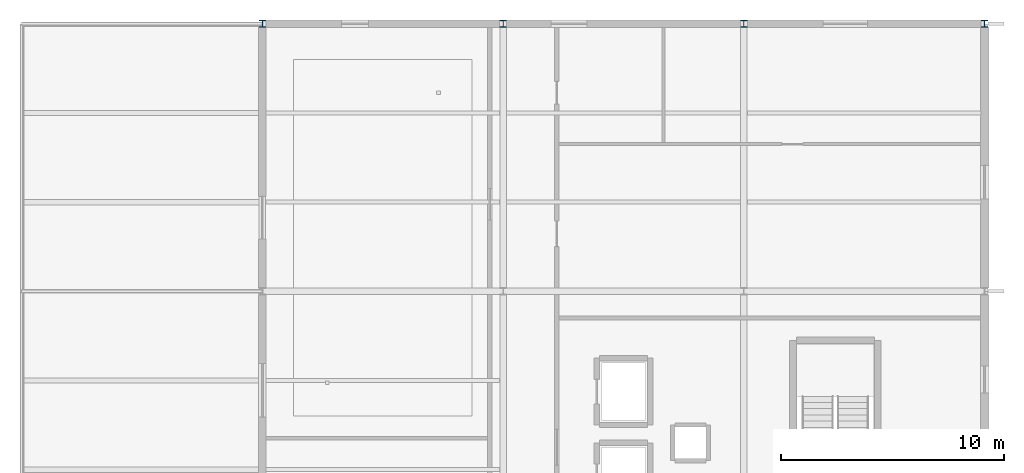
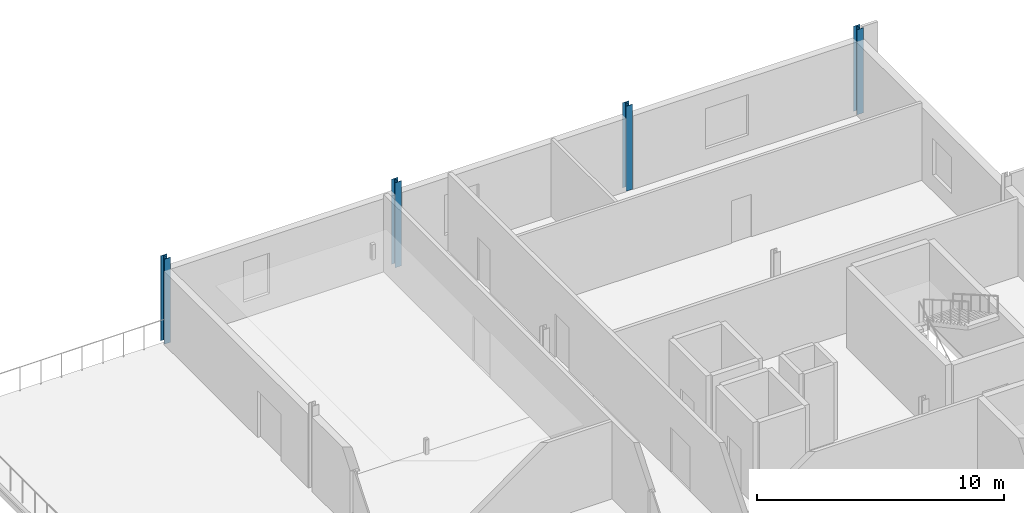
# One storey, part 2 of 13: 4 columns.
"""IFC4 building model written with IfcOpenShell, lengths in metres."""

from ifc_helpers import new_model, si_unit, direction, frame, origin, origin_2d, place, context, subcontext, project, spatial, i_section, extrude, material, material_profile, profile_set, type_object, element, save


model = new_model("IFC4")

# Units and contexts
model_context = context("Model", 3, precision=1e-05, world=origin(), true_north=direction((0.0, 1.0)))
body_context = subcontext(model_context, "Body", "Model", "MODEL_VIEW")
ifc_project = project(units=[si_unit("LENGTHUNIT", "METRE"), si_unit("AREAUNIT", "SQUARE_METRE"), si_unit("VOLUMEUNIT", "CUBIC_METRE"), si_unit("PLANEANGLEUNIT", "RADIAN"), si_unit("MASSUNIT", "GRAM", prefix="KILO")], contexts=[model_context])

# Site, building, storey
site_placement = place(None, origin())
site = spatial("IfcSite", under=ifc_project, at=site_placement, CompositionType="ELEMENT")
building_placement = place(site_placement, origin())
building = spatial("IfcBuilding", under=site, at=building_placement, Name="Merenkruunu Market Hall", CompositionType="ELEMENT")
storey_placement = place(building_placement, frame((0.0, 0.0, 14.39990234375)))
storey = spatial("IfcBuildingStorey", under=building, at=storey_placement, Name="L03", CompositionType="ELEMENT", Elevation=14.39990234375)

# Columns
ifc_material = material(Name="Steel S355J2", Category="steel")
ifc_material_profile = material_profile(ifc_material, i_section(OverallWidth=0.300048828125, OverallDepth=0.300048828125, WebThickness=0.010986328125, FlangeThickness=0.01904296875, FilletRadius=0.027099609375, at=origin_2d()), Name="HEB 300")
ifc_profile_set = profile_set([ifc_material_profile], Name="Steel S355J2")
column_type = type_object("IfcColumnType", Name="Structural Column C05", PredefinedType="COLUMN", material=ifc_profile_set)
for number, where, z_axis, x_axis, name in (
    (1, (159.60009765625, 39.60009765625, 0.0), (0.0, 0.0, 1.0), (1.0, 0.0, 0.0), "COL-L03-R-05"),
    (2, (170.39990234375, 39.60009765625, 0.0), (0.0, 0.0, 1.0), (1.0, 0.0, 0.0), "COL-L03-S-05"),
    (3, (181.199951171875, 39.60009765625, 0.0), (0.0, 0.0, 1.0), (1.0, 0.0, 0.0), "COL-L03-T-05"),
    (4, (192.0, 39.60009765625, 0.0), (0.0, 0.0, 1.0), (1.0, 0.0, 0.0), "COL-L03-U-05"),
):
    element("IfcColumn", number, at=place(storey_placement, frame(where, z_axis=z_axis, x_axis=x_axis)), inside=storey, type_object=column_type, Name=name, PredefinedType="COLUMN", context=body_context, shape_type="SweptSolid", body=[
        extrude(i_section(OverallWidth=0.300048828125, OverallDepth=0.300048828125, WebThickness=0.010986328125, FlangeThickness=0.01904296875, FilletRadius=0.027099609375, at=origin_2d()), origin(), (0.0, 0.0, 1.0), 4.2001953125),
    ])

save(model, "model.ifc")
